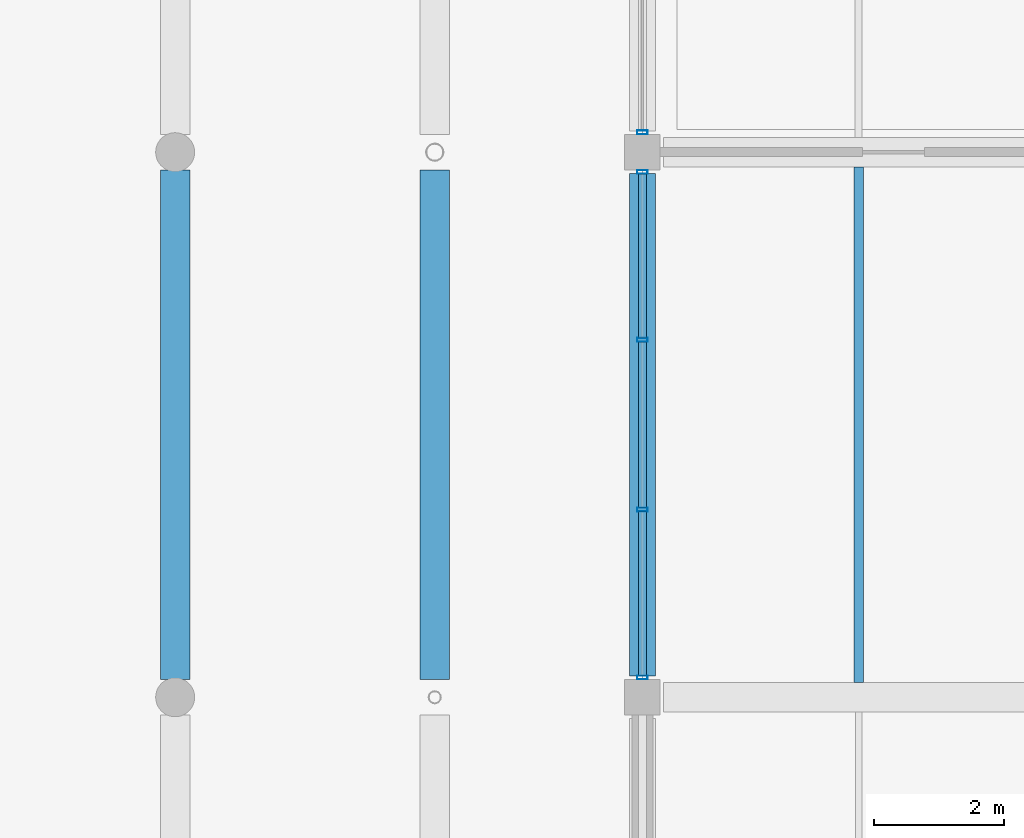
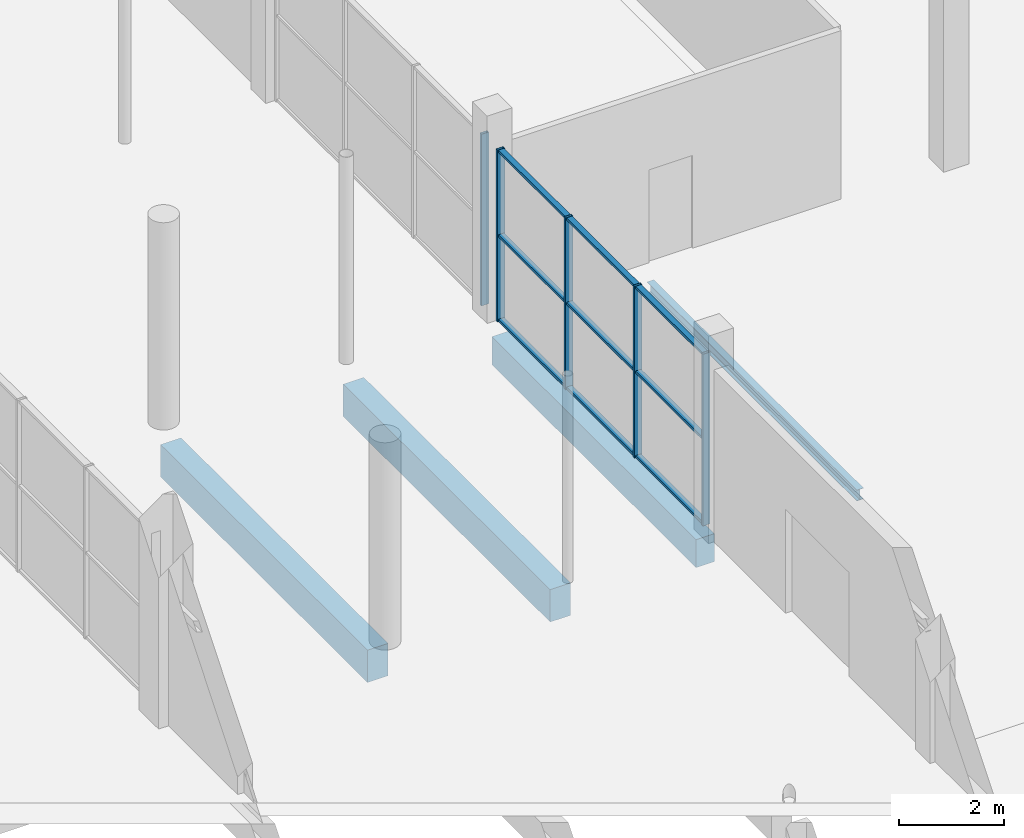
# One storey, part 73 of 130: 14 members, 4 beams, 2 elements without a shape of their own.
"""IFC4 building model written with IfcOpenShell, lengths in metres."""

from ifc_helpers import new_model, si_unit, direction, frame, origin, origin_2d, place, context, subcontext, project, spatial, rectangle, hollow_rectangle, i_section, extrude, material, material_profile, profile_set, type_object, element, aggregate, save


model = new_model("IFC4")

# Units and contexts
model_context = context("Model", 3, precision=1e-05, world=origin(), true_north=direction((0.0, 1.0)))
body_context = subcontext(model_context, "Body", "Model", "MODEL_VIEW")
ifc_project = project(units=[si_unit("LENGTHUNIT", "METRE"), si_unit("AREAUNIT", "SQUARE_METRE"), si_unit("VOLUMEUNIT", "CUBIC_METRE"), si_unit("PLANEANGLEUNIT", "RADIAN"), si_unit("MASSUNIT", "GRAM", prefix="KILO"), si_unit("THERMODYNAMICTEMPERATUREUNIT", "KELVIN")], contexts=[model_context])

# Site, building, storey
site_placement = place(None, origin())
site = spatial("IfcSite", under=ifc_project, at=site_placement, CompositionType="ELEMENT")
building_placement = place(site_placement, origin())
building = spatial("IfcBuilding", under=site, at=building_placement, Name="Nduvali Passage Aquatics Centre", CompositionType="ELEMENT")
storey_placement = place(building_placement, origin())
storey = spatial("IfcBuildingStorey", under=building, at=storey_placement, Name="L00", CompositionType="ELEMENT", Elevation=0.0)

# Curtain wall, members
ifc_material_1 = material(Name="Aluminium EN AW-6063 T6", Category="aluminium")
curtain_wall_type = type_object("IfcCurtainWallType", Name="ENV-CW-FOYR", PredefinedType="NOTDEFINED", material=ifc_material_1)
curtain_wall_1_placement = place(storey_placement, origin())
curtain_wall_1 = element("IfcCurtainWall", 1, at=curtain_wall_1_placement, inside=storey, type_object=curtain_wall_type, Name="L00 Passage Foyer Ground CW 075", PredefinedType="NOTDEFINED")
ifc_material_profile_1 = material_profile(ifc_material_1, hollow_rectangle(XDim=0.06005859375, YDim=0.159912109375, WallThickness=0.00390625, at=origin_2d()), Name="ALU MULLION 60x160x4")
ifc_profile_set_1 = profile_set([ifc_material_profile_1], Name="Aluminium EN AW-6063 T6")
member_type_1 = type_object("IfcMemberType", Name="ENV-MEM-MUL60", PredefinedType="MULLION", material=ifc_profile_set_1)
member_1_placement = place(storey_placement, frame((138.0, 67.5048828125, 0.0), z_axis=(0.0, 0.0, 1.0), x_axis=(0.0, 1.0, 0.0)))
member_1 = element("IfcMember", 2, at=member_1_placement, type_object=member_type_1, Name="Passage Foyer Ground CW Mullion 1", PredefinedType="MULLION", context=body_context, shape_type="SweptSolid", body=[
    extrude(hollow_rectangle(XDim=0.06005859375, YDim=0.159912109375, WallThickness=0.00390625, at=origin_2d()), origin(), (0.0, 0.0, 1.0), 3.976318359375),
])
member_2_placement = place(storey_placement, frame((138.0, 70.091796875, 0.0), z_axis=(0.0, 0.0, 1.0), x_axis=(0.0, 1.0, 0.0)))
member_2 = element("IfcMember", 3, at=member_2_placement, type_object=member_type_1, Name="Passage Foyer Ground CW Mullion 2", PredefinedType="MULLION", context=body_context, shape_type="SweptSolid", body=[
    extrude(hollow_rectangle(XDim=0.06005859375, YDim=0.159912109375, WallThickness=0.00390625, at=origin_2d()), origin(), (0.0, 0.0, 1.0), 3.976318359375),
])
member_3_placement = place(storey_placement, frame((138.0, 72.708251953125, 0.0), z_axis=(0.0, 0.0, 1.0), x_axis=(0.0, 1.0, 0.0)))
member_3 = element("IfcMember", 4, at=member_3_placement, type_object=member_type_1, Name="Passage Foyer Ground CW Mullion 3", PredefinedType="MULLION", context=body_context, shape_type="SweptSolid", body=[
    extrude(hollow_rectangle(XDim=0.06005859375, YDim=0.159912109375, WallThickness=0.00390625, at=origin_2d()), origin(), (0.0, 0.0, 1.0), 3.976318359375),
])
member_4_placement = place(storey_placement, frame((138.0, 75.294921875, 0.0), z_axis=(0.0, 0.0, 1.0), x_axis=(0.0, 1.0, 0.0)))
member_4 = element("IfcMember", 5, at=member_4_placement, type_object=member_type_1, Name="Passage Foyer Ground CW Mullion 4", PredefinedType="MULLION", context=body_context, shape_type="SweptSolid", body=[
    extrude(hollow_rectangle(XDim=0.06005859375, YDim=0.159912109375, WallThickness=0.00390625, at=origin_2d()), origin(), (0.0, 0.0, 1.0), 3.976318359375),
])

# Curtain wall, member
curtain_wall_2_placement = place(storey_placement, origin())
curtain_wall_2 = element("IfcCurtainWall", 6, at=curtain_wall_2_placement, inside=storey, type_object=curtain_wall_type, Name="L00 Passage Foyer Ground CW 077", PredefinedType="NOTDEFINED")
member_5_placement = place(storey_placement, frame((138.0, 75.905029296875, 0.0), z_axis=(0.0, 0.0, 1.0), x_axis=(0.0, 1.0, 0.0)))
member_5 = element("IfcMember", 7, at=member_5_placement, type_object=member_type_1, Name="Passage Foyer Ground CW Mullion 1", PredefinedType="MULLION", context=body_context, shape_type="SweptSolid", body=[
    extrude(hollow_rectangle(XDim=0.06005859375, YDim=0.159912109375, WallThickness=0.00390625, at=origin_2d()), origin(), (0.0, 0.0, 1.0), 3.976318359375),
])
aggregate(curtain_wall_2, [member_5])

# Member
ifc_material_profile_2 = material_profile(ifc_material_1, hollow_rectangle(XDim=0.1201171875, YDim=0.06005859375, WallThickness=0.00390625, at=origin_2d()), Name="ALU TRANSOM 120x60x4")
ifc_profile_set_2 = profile_set([ifc_material_profile_2], Name="Aluminium EN AW-6063 T6")
member_type_2 = type_object("IfcMemberType", Name="ENV-MEM-TRN60", PredefinedType="USERDEFINED", material=ifc_profile_set_2)
member_6_placement = place(storey_placement, frame((138.0, 67.534912109375, 0.030029296875), z_axis=(0.0, 1.0, 0.0), x_axis=(-1.0, 0.0, 0.0)))
member_6 = element("IfcMember", 8, at=member_6_placement, type_object=member_type_2, Name="Passage Foyer Ground CW Transom B1-R0", ObjectType="TRANSOM", PredefinedType="USERDEFINED", context=body_context, shape_type="SweptSolid", body=[
    extrude(hollow_rectangle(XDim=0.1201171875, YDim=0.06005859375, WallThickness=0.00390625, at=origin_2d()), origin(), (0.0, 0.0, 1.0), 2.52685546875),
])

member_7_placement = place(storey_placement, frame((138.0, 67.534912109375, 1.98828125), z_axis=(0.0, 1.0, 0.0), x_axis=(-1.0, 0.0, 0.0)))
member_7 = element("IfcMember", 9, at=member_7_placement, type_object=member_type_2, Name="Passage Foyer Ground CW Transom B1-R1", ObjectType="TRANSOM", PredefinedType="USERDEFINED", context=body_context, shape_type="SweptSolid", body=[
    extrude(hollow_rectangle(XDim=0.1201171875, YDim=0.06005859375, WallThickness=0.00390625, at=origin_2d()), origin(), (0.0, 0.0, 1.0), 2.52685546875),
])

member_8_placement = place(storey_placement, frame((138.0, 67.534912109375, 3.9462890625), z_axis=(0.0, 1.0, 0.0), x_axis=(-1.0, 0.0, 0.0)))
member_8 = element("IfcMember", 10, at=member_8_placement, type_object=member_type_2, Name="Passage Foyer Ground CW Transom B1-R2", ObjectType="TRANSOM", PredefinedType="USERDEFINED", context=body_context, shape_type="SweptSolid", body=[
    extrude(hollow_rectangle(XDim=0.1201171875, YDim=0.06005859375, WallThickness=0.00390625, at=origin_2d()), origin(), (0.0, 0.0, 1.0), 2.52685546875),
])

member_9_placement = place(storey_placement, frame((138.0, 70.12158203125, 0.030029296875), z_axis=(0.0, 1.0, 0.0), x_axis=(-1.0, 0.0, 0.0)))
member_9 = element("IfcMember", 11, at=member_9_placement, type_object=member_type_2, Name="Passage Foyer Ground CW Transom B2-R0", ObjectType="TRANSOM", PredefinedType="USERDEFINED", context=body_context, shape_type="SweptSolid", body=[
    extrude(hollow_rectangle(XDim=0.1201171875, YDim=0.06005859375, WallThickness=0.00390625, at=origin_2d()), origin(), (0.0, 0.0, 1.0), 2.556640625),
])

member_10_placement = place(storey_placement, frame((138.0, 70.12158203125, 1.98828125), z_axis=(0.0, 1.0, 0.0), x_axis=(-1.0, 0.0, 0.0)))
member_10 = element("IfcMember", 12, at=member_10_placement, type_object=member_type_2, Name="Passage Foyer Ground CW Transom B2-R1", ObjectType="TRANSOM", PredefinedType="USERDEFINED", context=body_context, shape_type="SweptSolid", body=[
    extrude(hollow_rectangle(XDim=0.1201171875, YDim=0.06005859375, WallThickness=0.00390625, at=origin_2d()), origin(), (0.0, 0.0, 1.0), 2.556640625),
])

member_11_placement = place(storey_placement, frame((138.0, 70.12158203125, 3.9462890625), z_axis=(0.0, 1.0, 0.0), x_axis=(-1.0, 0.0, 0.0)))
member_11 = element("IfcMember", 13, at=member_11_placement, type_object=member_type_2, Name="Passage Foyer Ground CW Transom B2-R2", ObjectType="TRANSOM", PredefinedType="USERDEFINED", context=body_context, shape_type="SweptSolid", body=[
    extrude(hollow_rectangle(XDim=0.1201171875, YDim=0.06005859375, WallThickness=0.00390625, at=origin_2d()), origin(), (0.0, 0.0, 1.0), 2.556640625),
])

member_12_placement = place(storey_placement, frame((138.0, 72.73828125, 0.030029296875), z_axis=(0.0, 1.0, 0.0), x_axis=(-1.0, 0.0, 0.0)))
member_12 = element("IfcMember", 14, at=member_12_placement, type_object=member_type_2, Name="Passage Foyer Ground CW Transom B3-R0", ObjectType="TRANSOM", PredefinedType="USERDEFINED", context=body_context, shape_type="SweptSolid", body=[
    extrude(hollow_rectangle(XDim=0.1201171875, YDim=0.06005859375, WallThickness=0.00390625, at=origin_2d()), origin(), (0.0, 0.0, 1.0), 2.526611328125),
])

member_13_placement = place(storey_placement, frame((138.0, 72.73828125, 1.98828125), z_axis=(0.0, 1.0, 0.0), x_axis=(-1.0, 0.0, 0.0)))
member_13 = element("IfcMember", 15, at=member_13_placement, type_object=member_type_2, Name="Passage Foyer Ground CW Transom B3-R1", ObjectType="TRANSOM", PredefinedType="USERDEFINED", context=body_context, shape_type="SweptSolid", body=[
    extrude(hollow_rectangle(XDim=0.1201171875, YDim=0.06005859375, WallThickness=0.00390625, at=origin_2d()), origin(), (0.0, 0.0, 1.0), 2.526611328125),
])

member_14_placement = place(storey_placement, frame((138.0, 72.73828125, 3.9462890625), z_axis=(0.0, 1.0, 0.0), x_axis=(-1.0, 0.0, 0.0)))
member_14 = element("IfcMember", 16, at=member_14_placement, type_object=member_type_2, Name="Passage Foyer Ground CW Transom B3-R2", ObjectType="TRANSOM", PredefinedType="USERDEFINED", context=body_context, shape_type="SweptSolid", body=[
    extrude(hollow_rectangle(XDim=0.1201171875, YDim=0.06005859375, WallThickness=0.00390625, at=origin_2d()), origin(), (0.0, 0.0, 1.0), 2.526611328125),
])

aggregate(curtain_wall_1, [member_1, member_2, member_3, member_4, member_6, member_7, member_8, member_9, member_10, member_11, member_12, member_13, member_14])

# Beams
ifc_material_2 = material(Name="Concrete C40/50", Category="concrete")
ifc_material_profile_3 = material_profile(ifc_material_2, rectangle(XDim=0.449951171875, YDim=0.75, at=origin_2d()), Name="RC 450x750")
ifc_profile_set_3 = profile_set([ifc_material_profile_3], Name="Concrete C40/50")
beam_type_1 = type_object("IfcBeamType", Name="STR-BM-RC4575", PredefinedType="BEAM", material=ifc_profile_set_3)
for number, where, z_axis, x_axis, name in (
    (17, (130.800048828125, 67.47509765625, -0.675048828125), (0.0, 1.0, 0.0), (-1.0, 0.0, 0.0), "L00 Primary Y-Girder B3-0209"),
    (18, (134.800048828125, 67.47509765625, -0.675048828125), (0.0, 1.0, 0.0), (-1.0, 0.0, 0.0), "L00 Primary Y-Girder B3-0220"),
):
    element("IfcBeam", number, at=place(storey_placement, frame(where, z_axis=z_axis, x_axis=x_axis)), inside=storey, type_object=beam_type_1, Name=name, PredefinedType="BEAM", context=body_context, shape_type="SweptSolid", body=[
        extrude(rectangle(XDim=0.449951171875, YDim=0.75, at=origin_2d()), origin(), (0.0, 0.0, 1.0), 7.849853515625),
    ])
ifc_material_3 = material(Name="Steel S355", Category="steel")
ifc_material_profile_4 = material_profile(ifc_material_3, i_section(OverallWidth=0.146484375, OverallDepth=0.256103515625, WebThickness=0.00634765625, FlangeThickness=0.010986328125, FilletRadius=0.007568359375, at=origin_2d()), Name="UKB 254x146x37")
ifc_profile_set_4 = profile_set([ifc_material_profile_4], Name="Steel S355")
beam_type_2 = type_object("IfcBeamType", Name="STR-JST-UKB254", PredefinedType="JOIST", material=ifc_profile_set_4)
beam_1_placement = place(storey_placement, frame((141.333251953125, 67.425048828125, -0.431884765625), z_axis=(0.0, 1.0, 0.0), x_axis=(-1.0, 0.0, 0.0)))
element("IfcBeam", 19, at=beam_1_placement, inside=storey, type_object=beam_type_2, Name="L00 Secondary Joist J4-0353", PredefinedType="JOIST", context=body_context, shape_type="SweptSolid", body=[
    extrude(i_section(OverallWidth=0.146484375, OverallDepth=0.256103515625, WebThickness=0.00634765625, FlangeThickness=0.010986328125, FilletRadius=0.007568359375, at=origin_2d()), origin(), (0.0, 0.0, 1.0), 7.949951171875),
])
ifc_material_profile_5 = material_profile(ifc_material_2, rectangle(XDim=0.39990234375, YDim=0.64990234375, at=origin_2d()), Name="RC 400x650")
ifc_profile_set_5 = profile_set([ifc_material_profile_5], Name="Concrete C40/50")
beam_type_3 = type_object("IfcBeamType", Name="STR-SPN-RC4065-EXT", PredefinedType="SPANDREL", material=ifc_profile_set_5)
beam_2_placement = place(storey_placement, frame((138.0, 67.52490234375, -0.625), z_axis=(0.0, 1.0, 0.0), x_axis=(-1.0, 0.0, 0.0)))
element("IfcBeam", 20, at=beam_2_placement, inside=storey, type_object=beam_type_3, Name="L00 Primary Y-Girder SP1E-0228", PredefinedType="SPANDREL", context=body_context, shape_type="SweptSolid", body=[
    extrude(rectangle(XDim=0.39990234375, YDim=0.64990234375, at=origin_2d()), origin(), (0.0, 0.0, 1.0), 7.75),
])

save(model, "model.ifc")
